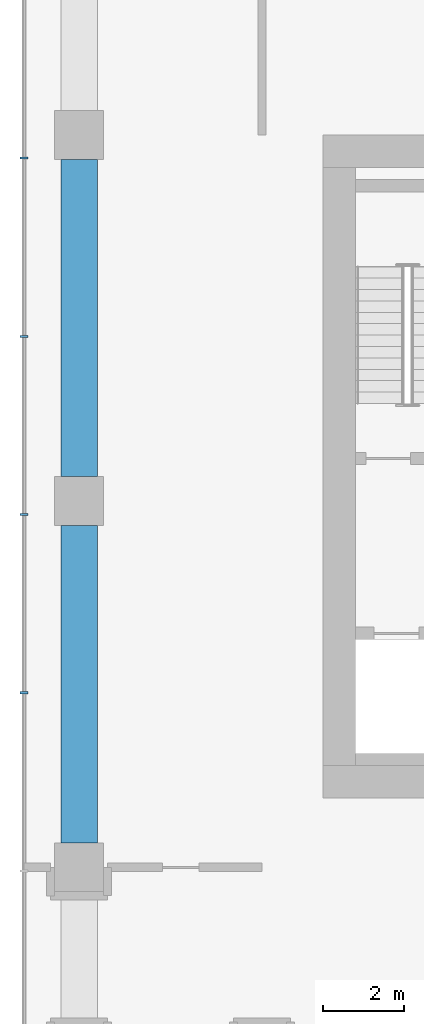
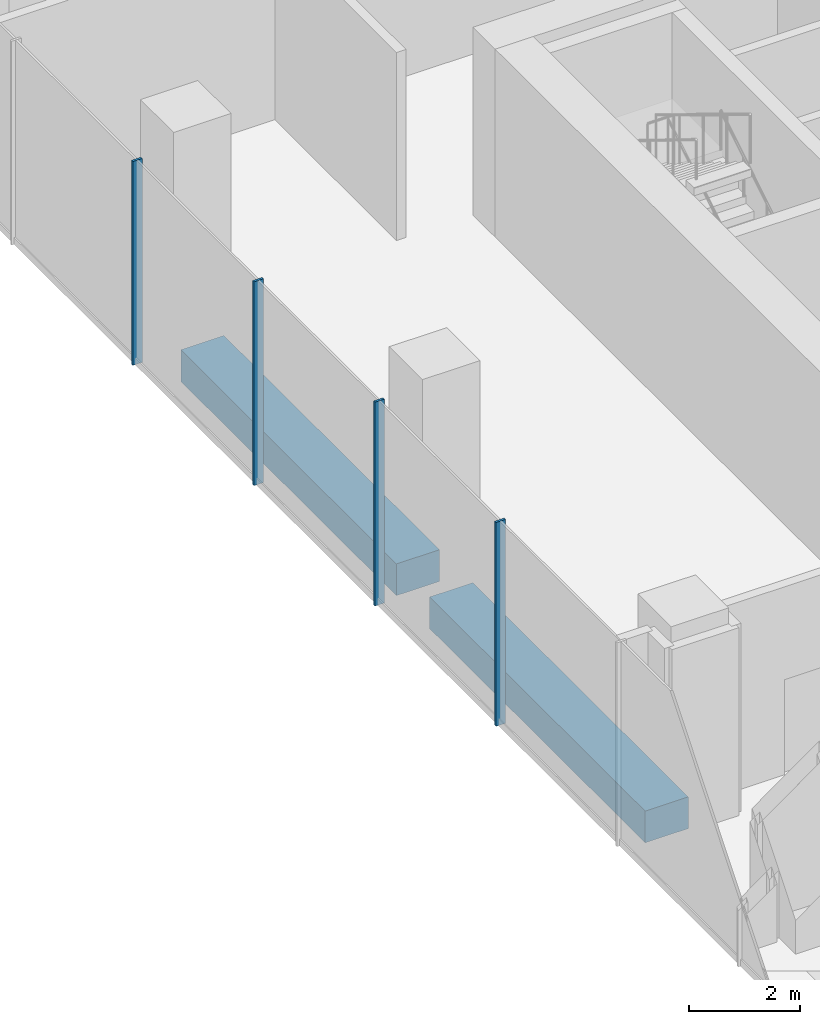
# One storey, part 3 of 43: 4 members, 2 beams, 1 element without a shape of its own.
"""IFC4 building model written with IfcOpenShell, lengths in metres."""

from ifc_helpers import new_model, si_unit, direction, frame, origin, origin_2d, place, context, subcontext, project, spatial, rectangle, extrude, material, layer, layer_set, material_profile, profile_set, type_object, element, aggregate, save


model = new_model("IFC4")

# Units and contexts
model_context = context("Model", 3, precision=1e-05, world=origin(), true_north=direction((0.0, 1.0)))
body_context = subcontext(model_context, "Body", "Model", "MODEL_VIEW")
ifc_project = project(units=[si_unit("LENGTHUNIT", "METRE"), si_unit("AREAUNIT", "SQUARE_METRE"), si_unit("VOLUMEUNIT", "CUBIC_METRE"), si_unit("PLANEANGLEUNIT", "RADIAN"), si_unit("MASSUNIT", "GRAM", prefix="KILO")], contexts=[model_context])

# Site, building, storey
site_placement = place(None, origin())
site = spatial("IfcSite", under=ifc_project, at=site_placement, CompositionType="ELEMENT")
building_placement = place(site_placement, origin())
building = spatial("IfcBuilding", under=site, at=building_placement, Name="Plateau Cross Towers", CompositionType="ELEMENT")
storey_placement = place(building_placement, frame((0.0, 0.0, 17.300048828125)))
storey = spatial("IfcBuildingStorey", under=building, at=storey_placement, Name="L03", CompositionType="ELEMENT", Elevation=17.300048828125)

# Curtain wall, members
ifc_material_1 = material(Name="Dark low-iron laminated glass", Category="glass")
ifc_layer = layer(ifc_material_1, 0.300048828125)
ifc_layer_set = layer_set([ifc_layer], Name="Dark low-iron laminated glass")
curtain_wall_type = type_object("IfcCurtainWallType", Name="Curtain wall structural silicone CW-C", PredefinedType="NOTDEFINED", material=ifc_layer_set)
curtain_wall_placement = place(storey_placement, origin())
curtain_wall = element("IfcCurtainWall", 1, at=curtain_wall_placement, inside=storey, type_object=curtain_wall_type, Name="ENV/P/L03/P-58_568", PredefinedType="NOTDEFINED")
ifc_material_2 = material(Name="Black anodised aluminium", Category="aluminium")
ifc_material_profile_1 = material_profile(ifc_material_2, rectangle(XDim=0.050048828125, YDim=0.199951171875, at=origin_2d()), Name="MULLION 50x200")
ifc_profile_set_1 = profile_set([ifc_material_profile_1], Name="Black anodised aluminium")
member_type = type_object("IfcMemberType", Name="Mullion 50x200 structural silicone", PredefinedType="MULLION", material=ifc_profile_set_1)
member_1_placement = place(storey_placement, frame((-5.85009765625, 17.429931640625, -0.35009765625), z_axis=(0.0, 0.0, 1.0), x_axis=(0.0, -1.0, 0.0)))
member_1 = element("IfcMember", 2, at=member_1_placement, type_object=member_type, Name="CW-C mullion 10", PredefinedType="MULLION", context=body_context, shape_type="SweptSolid", body=[
    extrude(rectangle(XDim=0.050048828125, YDim=0.199951171875, at=origin_2d()), origin(), (0.0, 0.0, 1.0), 4.5),
])
member_2_placement = place(storey_placement, frame((-5.85009765625, 13.050048828125, -0.35009765625), z_axis=(0.0, 0.0, 1.0), x_axis=(0.0, -1.0, 0.0)))
member_2 = element("IfcMember", 3, at=member_2_placement, type_object=member_type, Name="CW-C mullion 11", PredefinedType="MULLION", context=body_context, shape_type="SweptSolid", body=[
    extrude(rectangle(XDim=0.050048828125, YDim=0.199951171875, at=origin_2d()), origin(), (0.0, 0.0, 1.0), 4.5),
])
member_3_placement = place(storey_placement, frame((-5.85009765625, 8.669921875, -0.35009765625), z_axis=(0.0, 0.0, 1.0), x_axis=(0.0, -1.0, 0.0)))
member_3 = element("IfcMember", 4, at=member_3_placement, type_object=member_type, Name="CW-C mullion 12", PredefinedType="MULLION", context=body_context, shape_type="SweptSolid", body=[
    extrude(rectangle(XDim=0.050048828125, YDim=0.199951171875, at=origin_2d()), origin(), (0.0, 0.0, 1.0), 4.5),
])
member_4_placement = place(storey_placement, frame((-5.85009765625, 4.2900390625, -0.35009765625), z_axis=(0.0, 0.0, 1.0), x_axis=(0.0, -1.0, 0.0)))
member_4 = element("IfcMember", 5, at=member_4_placement, type_object=member_type, Name="CW-C mullion 13", PredefinedType="MULLION", context=body_context, shape_type="SweptSolid", body=[
    extrude(rectangle(XDim=0.050048828125, YDim=0.199951171875, at=origin_2d()), origin(), (0.0, 0.0, 1.0), 4.5),
])
aggregate(curtain_wall, [member_1, member_2, member_3, member_4])

# Beams
ifc_material_3 = material(Name="Concrete C50/60", Category="concrete")
ifc_material_profile_2 = material_profile(ifc_material_3, rectangle(XDim=0.89990234375, YDim=0.699951171875, at=origin_2d()), Name="RC 900x700")
ifc_profile_set_2 = profile_set([ifc_material_profile_2], Name="Concrete C50/60")
beam_type = type_object("IfcBeamType", Name="Podium band beam RC 900x700", PredefinedType="BEAM", material=ifc_profile_set_2)
for number, where, z_axis, x_axis, name in (
    (6, (-4.5, 0.60009765625, -0.699951171875), (0.0, 1.0, 0.0), (-1.0, 0.0, 0.0), "PB95@L03"),
    (7, (-4.5, 9.60009765625, -0.699951171875), (0.0, 1.0, 0.0), (-1.0, 0.0, 0.0), "PB96@L03"),
):
    element("IfcBeam", number, at=place(storey_placement, frame(where, z_axis=z_axis, x_axis=x_axis)), inside=storey, type_object=beam_type, Name=name, PredefinedType="BEAM", context=body_context, shape_type="SweptSolid", body=[
        extrude(rectangle(XDim=0.89990234375, YDim=0.699951171875, at=origin_2d()), origin(), (0.0, 0.0, 1.0), 7.7998046875),
    ])

save(model, "model.ifc")
